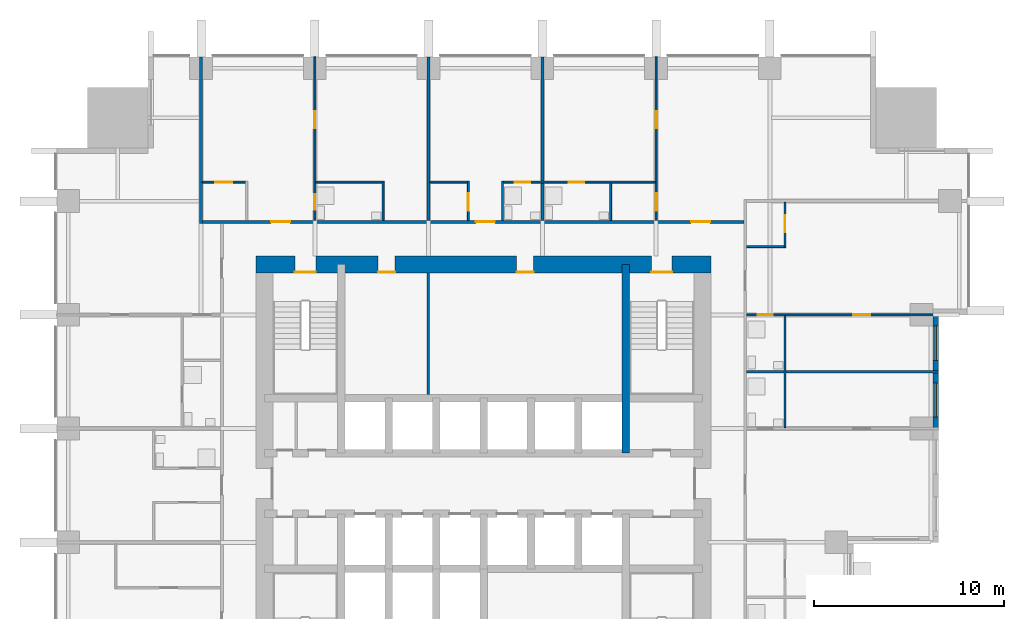
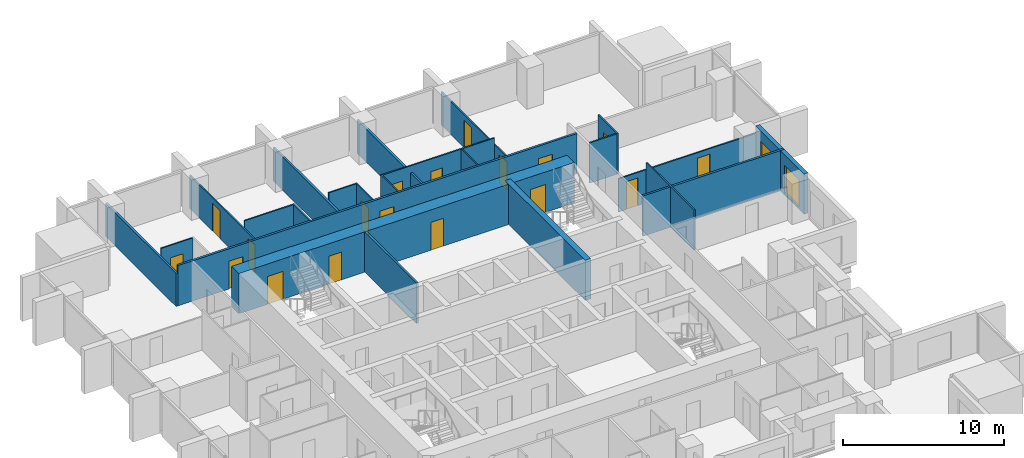
# One storey, part 7 of 10: 23 walls, 18 doors, 2 windows, 20 openings.
"""IFC4 building model written with IfcOpenShell, lengths in metres."""

from ifc_helpers import new_model, si_unit, direction, frame, frame_2d, origin, place, context, subcontext, project, spatial, rectangle, extrude, material, layer, layer_set, type_object, element, fill, save


model = new_model("IFC4")

# Units and contexts
model_context = context("Model", 3, precision=1e-05, world=origin(), true_north=direction((0.0, 1.0)))
body_context = subcontext(model_context, "Body", "Model", "MODEL_VIEW")
ifc_project = project(units=[si_unit("LENGTHUNIT", "METRE"), si_unit("AREAUNIT", "SQUARE_METRE"), si_unit("VOLUMEUNIT", "CUBIC_METRE"), si_unit("PLANEANGLEUNIT", "RADIAN"), si_unit("MASSUNIT", "GRAM", prefix="KILO")], contexts=[model_context])

# Site, building, storey
site_placement = place(None, origin())
site = spatial("IfcSite", under=ifc_project, at=site_placement, CompositionType="ELEMENT")
building_placement = place(site_placement, origin())
building = spatial("IfcBuilding", under=site, at=building_placement, Name="Amberfall Residences", CompositionType="ELEMENT")
storey_placement = place(building_placement, frame((0.0, 0.0, 63.10009765625)))
storey = spatial("IfcBuildingStorey", under=building, at=storey_placement, Name="L17", CompositionType="ELEMENT", Elevation=63.10009765625)

# Wall, openings, windows
ifc_material_1 = material(Name="Pale stone cladding on insulated backing", Category="masonry")
ifc_layer_1 = layer(ifc_material_1, 0.300048828125)
ifc_layer_set_1 = layer_set([ifc_layer_1], Name="Bronze clad wall 300")
wall_type_1 = type_object("IfcWallType", Name="Bronze clad wall 300", PredefinedType="SOLIDWALL", material=ifc_layer_set_1)
wall_1_placement = place(storey_placement, frame((98.35009765625, 48.39990234375, 0.0), z_axis=(0.0, 0.0, 1.0), x_axis=(0.0, 1.0, 0.0)))
wall_1 = element("IfcWall", 1, at=wall_1_placement, inside=storey, type_object=wall_type_1, Name="Stone wall L17 E", PredefinedType="SOLIDWALL", context=body_context, shape_type="SweptSolid", body=[
    extrude(rectangle(XDim=6.0, YDim=0.300048828125, at=frame_2d((3.0, 0.0))), origin(), (0.0, 0.0, 1.0), 3.0498046875),
])
opening_1_placement = place(wall_1_placement, frame((0.60009765625, 0.0, 0.14990234375)))
opening_1 = element("IfcOpeningElement", 2, at=opening_1_placement, cuts=wall_1, Name="Opening WN6", PredefinedType="OPENING", context=body_context, shape_type="SweptSolid", body=[
    extrude(rectangle(XDim=1.800048828125, YDim=2.10009765625, at=frame_2d((0.89990234375, 1.050048828125))), frame((0.0, 0.159912109375, 0.0), z_axis=(0.0, -1.0, 0.0), x_axis=(1.0, 0.0, 0.0)), (0.0, 0.0, 1.0), 0.320068359375),
])
opening_2_placement = place(wall_1_placement, frame((3.60009765625, 0.0, 0.14990234375)))
opening_2 = element("IfcOpeningElement", 3, at=opening_2_placement, cuts=wall_1, Name="Opening WN6", PredefinedType="OPENING", context=body_context, shape_type="SweptSolid", body=[
    extrude(rectangle(XDim=1.800048828125, YDim=2.10009765625, at=frame_2d((0.89990234375, 1.050048828125))), frame((0.0, 0.159912109375, 0.0), z_axis=(0.0, -1.0, 0.0), x_axis=(1.0, 0.0, 0.0)), (0.0, 0.0, 1.0), 0.320068359375),
])
ifc_material_2 = material(Name="Bronze aluminium framed glazing", Category="aluminium")
window_type = type_object("IfcWindowType", Name="Glazed opening 1800 x 2100 bronze", PartitioningType="DOUBLE_PANEL_VERTICAL", PredefinedType="WINDOW", material=ifc_material_2)
window_1_placement = place(opening_1_placement, origin())
window_1 = element("IfcWindow", 4, at=window_1_placement, inside=storey, type_object=window_type, Name="Window L17 E", OverallHeight=2.10009765625, OverallWidth=1.800048828125, PartitioningType="DOUBLE_PANEL_VERTICAL", PredefinedType="WINDOW", context=body_context, shape_type="SweptSolid", body=[
    extrude(rectangle(XDim=1.800048828125, YDim=2.10009765625, at=frame_2d((0.89990234375, 1.050048828125))), frame((0.0, 0.030029296875, 0.0), z_axis=(0.0, -1.0, 0.0), x_axis=(1.0, 0.0, 0.0)), (0.0, 0.0, 1.0), 0.06005859375),
])
fill(opening_1, window_1)
window_2_placement = place(opening_2_placement, origin())
window_2 = element("IfcWindow", 5, at=window_2_placement, inside=storey, type_object=window_type, Name="Window L17 E", OverallHeight=2.10009765625, OverallWidth=1.800048828125, PartitioningType="DOUBLE_PANEL_VERTICAL", PredefinedType="WINDOW", context=body_context, shape_type="SweptSolid", body=[
    extrude(rectangle(XDim=1.800048828125, YDim=2.10009765625, at=frame_2d((0.89990234375, 1.050048828125))), frame((0.0, 0.030029296875, 0.0), z_axis=(0.0, -1.0, 0.0), x_axis=(1.0, 0.0, 0.0)), (0.0, 0.0, 1.0), 0.06005859375),
])
fill(opening_2, window_2)

# Wall
ifc_material_3 = material(Name="Concrete C80", Category="concrete")
ifc_layer_2 = layer(ifc_material_3, 0.39990234375)
ifc_layer_set_2 = layer_set([ifc_layer_2], Name="Core wall 400 C80")
wall_type_2 = type_object("IfcWallType", Name="Core wall 400 C80", PredefinedType="SHEAR", material=ifc_layer_set_2)
wall_2_placement = place(storey_placement, frame((82.0, 47.10009765625, 0.0), z_axis=(0.0, 0.0, 1.0), x_axis=(0.0, 1.0, 0.0)))
element("IfcWall", 6, at=wall_2_placement, inside=storey, type_object=wall_type_2, Name="Core wall RW2 L17 V195N", PredefinedType="SHEAR", context=body_context, shape_type="SweptSolid", body=[
    extrude(rectangle(XDim=9.949951171875, YDim=0.39990234375, at=frame_2d((4.97509765625, 0.0))), origin(), (0.0, 0.0, 1.0), 3.0498046875),
])

# Wall, openings, doors
ifc_layer_3 = layer(ifc_material_3, 0.89990234375)
ifc_layer_set_3 = layer_set([ifc_layer_3], Name="Core wall 900 C80")
wall_type_3 = type_object("IfcWallType", Name="Core wall 900 C80", PredefinedType="SHEAR", material=ifc_layer_set_3)
wall_3_placement = place(storey_placement, frame((62.5, 57.050048828125, 0.0), z_axis=(0.0, 0.0, 1.0), x_axis=(1.0, 0.0, 0.0)))
wall_3 = element("IfcWall", 7, at=wall_3_placement, inside=storey, type_object=wall_type_3, Name="Core wall RW1 L17 ON", PredefinedType="SHEAR", context=body_context, shape_type="SweptSolid", body=[
    extrude(rectangle(XDim=24.0, YDim=0.89990234375, at=frame_2d((12.0, 0.0))), origin(), (0.0, 0.0, 1.0), 3.0498046875),
])
opening_3_placement = place(wall_3_placement, frame((20.85009765625, 0.0, 0.0)))
opening_3 = element("IfcOpeningElement", 8, at=opening_3_placement, cuts=wall_3, Name="Opening SD1", PredefinedType="OPENING", context=body_context, shape_type="SweptSolid", body=[
    extrude(rectangle(XDim=1.10009765625, YDim=2.10009765625, at=frame_2d((0.550048828125, 1.050048828125))), frame((0.0, 0.4599609375, 0.0), z_axis=(0.0, -1.0, 0.0), x_axis=(1.0, 0.0, 0.0)), (0.0, 0.0, 1.0), 0.919921875),
])
opening_4_placement = place(wall_3_placement, frame((2.050048828125, 0.0, 0.0)))
opening_4 = element("IfcOpeningElement", 9, at=opening_4_placement, cuts=wall_3, Name="Opening SD1", PredefinedType="OPENING", context=body_context, shape_type="SweptSolid", body=[
    extrude(rectangle(XDim=1.10009765625, YDim=2.10009765625, at=frame_2d((0.550048828125, 1.050048828125))), frame((0.0, 0.4599609375, 0.0), z_axis=(0.0, -1.0, 0.0), x_axis=(1.0, 0.0, 0.0)), (0.0, 0.0, 1.0), 0.919921875),
])
opening_5_placement = place(wall_3_placement, frame((6.43994140625, 0.0, 0.0)))
opening_5 = element("IfcOpeningElement", 10, at=opening_5_placement, cuts=wall_3, Name="Opening RD1", PredefinedType="OPENING", context=body_context, shape_type="SweptSolid", body=[
    extrude(rectangle(XDim=0.89990234375, YDim=2.10009765625, at=frame_2d((0.449951171875, 1.050048828125))), frame((0.0, 0.4599609375, 0.0), z_axis=(0.0, -1.0, 0.0), x_axis=(1.0, 0.0, 0.0)), (0.0, 0.0, 1.0), 0.919921875),
])
opening_6_placement = place(wall_3_placement, frame((13.739990234375, 0.0, 0.0)))
opening_6 = element("IfcOpeningElement", 11, at=opening_6_placement, cuts=wall_3, Name="Opening RD1", PredefinedType="OPENING", context=body_context, shape_type="SweptSolid", body=[
    extrude(rectangle(XDim=0.89990234375, YDim=2.10009765625, at=frame_2d((0.449951171875, 1.050048828125))), frame((0.0, 0.4599609375, 0.0), z_axis=(0.0, -1.0, 0.0), x_axis=(1.0, 0.0, 0.0)), (0.0, 0.0, 1.0), 0.919921875),
])
ifc_material_4 = material(Name="Steel fire door set", Category="steel")
door_type_1 = type_object("IfcDoorType", Name="Service room door 900 x 2100", OperationType="SINGLE_SWING_LEFT", PredefinedType="DOOR", material=ifc_material_4)
door_1_placement = place(opening_5_placement, origin())
door_1 = element("IfcDoor", 12, at=door_1_placement, inside=storey, type_object=door_type_1, Name="RD1 L17", OperationType="SINGLE_SWING_RIGHT", OverallHeight=2.10009765625, OverallWidth=0.89990234375, PredefinedType="DOOR", context=body_context, shape_type="SweptSolid", body=[
    extrude(rectangle(XDim=0.89990234375, YDim=2.10009765625, at=frame_2d((0.449951171875, 1.050048828125))), frame((0.0, -0.3876953125, 0.0), z_axis=(0.0, -1.0, 0.0), x_axis=(1.0, 0.0, 0.0)), (0.0, 0.0, 1.0), 0.050048828125),
])
fill(opening_5, door_1)
door_2_placement = place(opening_6_placement, origin())
door_2 = element("IfcDoor", 13, at=door_2_placement, inside=storey, type_object=door_type_1, Name="RD1 L17", OperationType="SINGLE_SWING_RIGHT", OverallHeight=2.10009765625, OverallWidth=0.89990234375, PredefinedType="DOOR", context=body_context, shape_type="SweptSolid", body=[
    extrude(rectangle(XDim=0.89990234375, YDim=2.10009765625, at=frame_2d((0.449951171875, 1.050048828125))), frame((0.0, -0.3876953125, 0.0), z_axis=(0.0, -1.0, 0.0), x_axis=(1.0, 0.0, 0.0)), (0.0, 0.0, 1.0), 0.050048828125),
])
fill(opening_6, door_2)
door_type_2 = type_object("IfcDoorType", Name="Stair door 1100 x 2100", OperationType="SINGLE_SWING_LEFT", PredefinedType="DOOR", material=ifc_material_4)
door_3_placement = place(opening_3_placement, origin())
door_3 = element("IfcDoor", 14, at=door_3_placement, inside=storey, type_object=door_type_2, Name="SD1 L17", OperationType="SINGLE_SWING_RIGHT", OverallHeight=2.10009765625, OverallWidth=1.10009765625, PredefinedType="DOOR", context=body_context, shape_type="SweptSolid", body=[
    extrude(rectangle(XDim=1.10009765625, YDim=2.10009765625, at=frame_2d((0.550048828125, 1.050048828125))), frame((0.0, -0.3876953125, 0.0), z_axis=(0.0, -1.0, 0.0), x_axis=(1.0, 0.0, 0.0)), (0.0, 0.0, 1.0), 0.050048828125),
])
fill(opening_3, door_3)
door_4_placement = place(opening_4_placement, origin())
door_4 = element("IfcDoor", 15, at=door_4_placement, inside=storey, type_object=door_type_2, Name="SD1 L17", OperationType="SINGLE_SWING_LEFT", OverallHeight=2.10009765625, OverallWidth=1.10009765625, PredefinedType="DOOR", context=body_context, shape_type="SweptSolid", body=[
    extrude(rectangle(XDim=1.10009765625, YDim=2.10009765625, at=frame_2d((0.550048828125, 1.050048828125))), frame((0.0, -0.3876953125, 0.0), z_axis=(0.0, -1.0, 0.0), x_axis=(1.0, 0.0, 0.0)), (0.0, 0.0, 1.0), 0.050048828125),
])
fill(opening_4, door_4)

ifc_material_5 = material(Name="Gypsum board on metal stud")
ifc_layer_4 = layer(ifc_material_5, 0.10009765625)
ifc_layer_set_4 = layer_set([ifc_layer_4], Name="Flat partition 100")
wall_type_4 = type_object("IfcWallType", Name="Flat partition 100", PredefinedType="PARTITIONING", material=ifc_layer_set_4)
wall_4_placement = place(storey_placement, frame((65.60009765625, 68.0, 0.0), z_axis=(0.0, 0.0, 1.0), x_axis=(0.0, -1.0, 0.0)))
wall_4 = element("IfcWall", 16, at=wall_4_placement, inside=storey, type_object=wall_type_4, Name="Partition 007", PredefinedType="PARTITIONING", context=body_context, shape_type="SweptSolid", body=[
    extrude(rectangle(XDim=8.625, YDim=0.10009765625, at=frame_2d((4.3125, 0.0))), origin(), (0.0, 0.0, 1.0), 2.515869140625),
])
opening_7_placement = place(wall_4_placement, frame((2.85009765625, 0.0, 0.0)))
opening_7 = element("IfcOpeningElement", 17, at=opening_7_placement, cuts=wall_4, Name="Opening D41", PredefinedType="OPENING", context=body_context, shape_type="SweptSolid", body=[
    extrude(rectangle(XDim=0.89990234375, YDim=2.10009765625, at=frame_2d((0.449951171875, 1.050048828125))), frame((0.0, 0.06005859375, 0.0), z_axis=(0.0, -1.0, 0.0), x_axis=(1.0, 0.0, 0.0)), (0.0, 0.0, 1.0), 0.1201171875),
])
opening_8_placement = place(wall_4_placement, frame((7.25, 0.0, 0.0)))
opening_8 = element("IfcOpeningElement", 18, at=opening_8_placement, cuts=wall_4, Name="Opening D42", PredefinedType="OPENING", context=body_context, shape_type="SweptSolid", body=[
    extrude(rectangle(XDim=0.800048828125, YDim=2.10009765625, at=frame_2d((0.39990234375, 1.050048828125))), frame((0.0, 0.06005859375, 0.0), z_axis=(0.0, -1.0, 0.0), x_axis=(1.0, 0.0, 0.0)), (0.0, 0.0, 1.0), 0.1201171875),
])
ifc_material_6 = material(Name="Timber", Category="wood")
door_type_3 = type_object("IfcDoorType", Name="Bathroom door 800 x 2100", OperationType="SINGLE_SWING_LEFT", PredefinedType="DOOR", material=ifc_material_6)
door_5_placement = place(opening_8_placement, origin())
door_5 = element("IfcDoor", 19, at=door_5_placement, inside=storey, type_object=door_type_3, Name="Door 1706 bath1", OperationType="SINGLE_SWING_LEFT", OverallHeight=2.10009765625, OverallWidth=0.800048828125, PredefinedType="DOOR", context=body_context, shape_type="SweptSolid", body=[
    extrude(rectangle(XDim=0.800048828125, YDim=2.10009765625, at=frame_2d((0.39990234375, 1.050048828125))), frame((0.0, 0.02490234375, 0.0), z_axis=(0.0, -1.0, 0.0), x_axis=(1.0, 0.0, 0.0)), (0.0, 0.0, 1.0), 0.050048828125),
])
fill(opening_8, door_5)
door_type_4 = type_object("IfcDoorType", Name="Internal door 900 x 2100", OperationType="SINGLE_SWING_LEFT", PredefinedType="DOOR", material=ifc_material_6)
door_6_placement = place(opening_7_placement, origin())
door_6 = element("IfcDoor", 20, at=door_6_placement, inside=storey, type_object=door_type_4, Name="Door 1706 bedroom1", OperationType="SINGLE_SWING_LEFT", OverallHeight=2.10009765625, OverallWidth=0.89990234375, PredefinedType="DOOR", context=body_context, shape_type="SweptSolid", body=[
    extrude(rectangle(XDim=0.89990234375, YDim=2.10009765625, at=frame_2d((0.449951171875, 1.050048828125))), frame((0.0, 0.02490234375, 0.0), z_axis=(0.0, -1.0, 0.0), x_axis=(1.0, 0.0, 0.0)), (0.0, 0.0, 1.0), 0.050048828125),
])
fill(opening_7, door_6)

# Wall
wall_5_placement = place(storey_placement, frame((69.199951171875, 59.375, 0.0), z_axis=(0.0, 0.0, 1.0), x_axis=(0.0, 1.0, 0.0)))
element("IfcWall", 21, at=wall_5_placement, inside=storey, type_object=wall_type_4, Name="Partition 009", PredefinedType="PARTITIONING", context=body_context, shape_type="SweptSolid", body=[
    extrude(rectangle(XDim=2.074951171875, YDim=0.10009765625, at=frame_2d((1.03759765625, 0.0))), origin(), (0.0, 0.0, 1.0), 3.0498046875),
])

# Wall, opening, door
wall_6_placement = place(storey_placement, frame((73.699951171875, 59.375, 0.0), z_axis=(0.0, 0.0, 1.0), x_axis=(0.0, 1.0, 0.0)))
wall_6 = element("IfcWall", 22, at=wall_6_placement, inside=storey, type_object=wall_type_4, Name="Partition 011", PredefinedType="PARTITIONING", context=body_context, shape_type="SweptSolid", body=[
    extrude(rectangle(XDim=2.074951171875, YDim=0.10009765625, at=frame_2d((1.03759765625, 0.0))), origin(), (0.0, 0.0, 1.0), 3.0498046875),
])
opening_9_placement = place(wall_6_placement, frame((0.52490234375, 0.0, 0.0)))
opening_9 = element("IfcOpeningElement", 23, at=opening_9_placement, cuts=wall_6, Name="Opening D41", PredefinedType="OPENING", context=body_context, shape_type="SweptSolid", body=[
    extrude(rectangle(XDim=0.89990234375, YDim=2.10009765625, at=frame_2d((0.449951171875, 1.050048828125))), frame((0.0, 0.06005859375, 0.0), z_axis=(0.0, -1.0, 0.0), x_axis=(1.0, 0.0, 0.0)), (0.0, 0.0, 1.0), 0.1201171875),
])
door_7_placement = place(opening_9_placement, origin())
door_7 = element("IfcDoor", 24, at=door_7_placement, inside=storey, type_object=door_type_4, Name="Door 1707 kitchen", OperationType="SINGLE_SWING_LEFT", OverallHeight=2.10009765625, OverallWidth=0.89990234375, PredefinedType="DOOR", context=body_context, shape_type="SweptSolid", body=[
    extrude(rectangle(XDim=0.89990234375, YDim=2.10009765625, at=frame_2d((0.449951171875, 1.050048828125))), frame((0.0, 0.02490234375, 0.0), z_axis=(0.0, -1.0, 0.0), x_axis=(1.0, 0.0, 0.0)), (0.0, 0.0, 1.0), 0.050048828125),
])
fill(opening_9, door_7)

# Walls
wall_7_placement = place(storey_placement, frame((75.5, 59.375, 0.0), z_axis=(0.0, 0.0, 1.0), x_axis=(0.0, 1.0, 0.0)))
element("IfcWall", 25, at=wall_7_placement, inside=storey, type_object=wall_type_4, Name="Partition 012", PredefinedType="PARTITIONING", context=body_context, shape_type="SweptSolid", body=[
    extrude(rectangle(XDim=2.074951171875, YDim=0.10009765625, at=frame_2d((1.03759765625, 0.0))), origin(), (0.0, 0.0, 1.0), 3.0498046875),
])
wall_8_placement = place(storey_placement, frame((81.199951171875, 59.375, 0.0), z_axis=(0.0, 0.0, 1.0), x_axis=(0.0, 1.0, 0.0)))
element("IfcWall", 26, at=wall_8_placement, inside=storey, type_object=wall_type_4, Name="Partition 014", PredefinedType="PARTITIONING", context=body_context, shape_type="SweptSolid", body=[
    extrude(rectangle(XDim=1.97509765625, YDim=0.10009765625, at=frame_2d((0.987548828125, 0.0))), origin(), (0.0, 0.0, 1.0), 3.0498046875),
])

# Wall, openings, doors
wall_9_placement = place(storey_placement, frame((83.60009765625, 59.375, 0.0), z_axis=(0.0, 0.0, 1.0), x_axis=(0.0, 1.0, 0.0)))
wall_9 = element("IfcWall", 27, at=wall_9_placement, inside=storey, type_object=wall_type_4, Name="Partition 016", PredefinedType="PARTITIONING", context=body_context, shape_type="SweptSolid", body=[
    extrude(rectangle(XDim=8.625, YDim=0.10009765625, at=frame_2d((4.3125, 0.0))), origin(), (0.0, 0.0, 1.0), 2.515869140625),
])
opening_10_placement = place(wall_9_placement, frame((0.52490234375, 0.0, 0.0)))
opening_10 = element("IfcOpeningElement", 28, at=opening_10_placement, cuts=wall_9, Name="Opening D41", PredefinedType="OPENING", context=body_context, shape_type="SweptSolid", body=[
    extrude(rectangle(XDim=0.89990234375, YDim=2.10009765625, at=frame_2d((0.449951171875, 1.050048828125))), frame((0.0, 0.06005859375, 0.0), z_axis=(0.0, -1.0, 0.0), x_axis=(1.0, 0.0, 0.0)), (0.0, 0.0, 1.0), 0.1201171875),
])
opening_11_placement = place(wall_9_placement, frame((4.875, 0.0, 0.0)))
opening_11 = element("IfcOpeningElement", 29, at=opening_11_placement, cuts=wall_9, Name="Opening D41", PredefinedType="OPENING", context=body_context, shape_type="SweptSolid", body=[
    extrude(rectangle(XDim=0.89990234375, YDim=2.10009765625, at=frame_2d((0.449951171875, 1.050048828125))), frame((0.0, 0.06005859375, 0.0), z_axis=(0.0, -1.0, 0.0), x_axis=(1.0, 0.0, 0.0)), (0.0, 0.0, 1.0), 0.1201171875),
])
door_8_placement = place(opening_10_placement, origin())
door_8 = element("IfcDoor", 30, at=door_8_placement, inside=storey, type_object=door_type_4, Name="Door 1708 kitchen", OperationType="SINGLE_SWING_LEFT", OverallHeight=2.10009765625, OverallWidth=0.89990234375, PredefinedType="DOOR", context=body_context, shape_type="SweptSolid", body=[
    extrude(rectangle(XDim=0.89990234375, YDim=2.10009765625, at=frame_2d((0.449951171875, 1.050048828125))), frame((0.0, 0.02490234375, 0.0), z_axis=(0.0, -1.0, 0.0), x_axis=(1.0, 0.0, 0.0)), (0.0, 0.0, 1.0), 0.050048828125),
])
fill(opening_10, door_8)
door_9_placement = place(opening_11_placement, origin())
door_9 = element("IfcDoor", 31, at=door_9_placement, inside=storey, type_object=door_type_4, Name="Door 1708 bedroom1", OperationType="SINGLE_SWING_LEFT", OverallHeight=2.10009765625, OverallWidth=0.89990234375, PredefinedType="DOOR", context=body_context, shape_type="SweptSolid", body=[
    extrude(rectangle(XDim=0.89990234375, YDim=2.10009765625, at=frame_2d((0.449951171875, 1.050048828125))), frame((0.0, 0.02490234375, 0.0), z_axis=(0.0, -1.0, 0.0), x_axis=(1.0, 0.0, 0.0)), (0.0, 0.0, 1.0), 0.050048828125),
])
fill(opening_11, door_9)

# Wall
wall_10_placement = place(storey_placement, frame((90.39990234375, 48.449951171875, 0.0), z_axis=(0.0, 0.0, 1.0), x_axis=(0.0, 1.0, 0.0)))
element("IfcWall", 32, at=wall_10_placement, inside=storey, type_object=wall_type_4, Name="Partition 019", PredefinedType="PARTITIONING", context=body_context, shape_type="SweptSolid", body=[
    extrude(rectangle(XDim=5.900146484375, YDim=0.10009765625, at=frame_2d((2.9501953125, 0.0))), origin(), (0.0, 0.0, 1.0), 3.0498046875),
])

# Wall, opening, door
wall_11_placement = place(storey_placement, frame((90.39990234375, 57.949951171875, 0.0), z_axis=(0.0, 0.0, 1.0), x_axis=(0.0, 1.0, 0.0)))
wall_11 = element("IfcWall", 33, at=wall_11_placement, inside=storey, type_object=wall_type_4, Name="Partition 020", PredefinedType="PARTITIONING", context=body_context, shape_type="SweptSolid", body=[
    extrude(rectangle(XDim=2.375, YDim=0.10009765625, at=frame_2d((1.1875, 0.0))), origin(), (0.0, 0.0, 1.0), 3.0498046875),
])
opening_12_placement = place(wall_11_placement, frame((0.800048828125, 0.0, 0.0)))
opening_12 = element("IfcOpeningElement", 34, at=opening_12_placement, cuts=wall_11, Name="Opening D41", PredefinedType="OPENING", context=body_context, shape_type="SweptSolid", body=[
    extrude(rectangle(XDim=0.89990234375, YDim=2.10009765625, at=frame_2d((0.449951171875, 1.050048828125))), frame((0.0, 0.06005859375, 0.0), z_axis=(0.0, -1.0, 0.0), x_axis=(1.0, 0.0, 0.0)), (0.0, 0.0, 1.0), 0.1201171875),
])
door_10_placement = place(opening_12_placement, origin())
door_10 = element("IfcDoor", 35, at=door_10_placement, inside=storey, type_object=door_type_4, Name="Door 1705 kitchen", OperationType="SINGLE_SWING_LEFT", OverallHeight=2.10009765625, OverallWidth=0.89990234375, PredefinedType="DOOR", context=body_context, shape_type="SweptSolid", body=[
    extrude(rectangle(XDim=0.89990234375, YDim=2.10009765625, at=frame_2d((0.449951171875, 1.050048828125))), frame((0.0, 0.02490234375, 0.0), z_axis=(0.0, -1.0, 0.0), x_axis=(1.0, 0.0, 0.0)), (0.0, 0.0, 1.0), 0.050048828125),
])
fill(opening_12, door_10)

wall_12_placement = place(storey_placement, frame((61.949951171875, 61.39990234375, 0.0), z_axis=(0.0, 0.0, 1.0), x_axis=(-1.0, 0.0, 0.0)))
wall_12 = element("IfcWall", 36, at=wall_12_placement, inside=storey, type_object=wall_type_4, Name="Partition 021", PredefinedType="PARTITIONING", context=body_context, shape_type="SweptSolid", body=[
    extrude(rectangle(XDim=2.27490234375, YDim=0.10009765625, at=frame_2d((1.137451171875, 0.0))), origin(), (0.0, 0.0, 1.0), 3.0498046875),
])
opening_13_placement = place(wall_12_placement, frame((0.699951171875, 0.0, 0.0)))
opening_13 = element("IfcOpeningElement", 37, at=opening_13_placement, cuts=wall_12, Name="Opening D41", PredefinedType="OPENING", context=body_context, shape_type="SweptSolid", body=[
    extrude(rectangle(XDim=0.89990234375, YDim=2.10009765625, at=frame_2d((0.449951171875, 1.050048828125))), frame((0.0, 0.06005859375, 0.0), z_axis=(0.0, -1.0, 0.0), x_axis=(1.0, 0.0, 0.0)), (0.0, 0.0, 1.0), 0.1201171875),
])
door_11_placement = place(opening_13_placement, origin())
door_11 = element("IfcDoor", 38, at=door_11_placement, inside=storey, type_object=door_type_4, Name="Door 1706 kitchen", OperationType="SINGLE_SWING_LEFT", OverallHeight=2.10009765625, OverallWidth=0.89990234375, PredefinedType="DOOR", context=body_context, shape_type="SweptSolid", body=[
    extrude(rectangle(XDim=0.89990234375, YDim=2.10009765625, at=frame_2d((0.449951171875, 1.050048828125))), frame((0.0, 0.02490234375, 0.0), z_axis=(0.0, -1.0, 0.0), x_axis=(1.0, 0.0, 0.0)), (0.0, 0.0, 1.0), 0.050048828125),
])
fill(opening_13, door_11)

# Walls
wall_13_placement = place(storey_placement, frame((65.64990234375, 61.39990234375, 0.0), z_axis=(0.0, 0.0, 1.0), x_axis=(1.0, 0.0, 0.0)))
element("IfcWall", 39, at=wall_13_placement, inside=storey, type_object=wall_type_4, Name="Partition 022", PredefinedType="PARTITIONING", context=body_context, shape_type="SweptSolid", body=[
    extrude(rectangle(XDim=3.5, YDim=0.10009765625, at=frame_2d((1.75, 0.0))), origin(), (0.0, 0.0, 1.0), 3.0498046875),
])
wall_14_placement = place(storey_placement, frame((71.675048828125, 61.39990234375, 0.0), z_axis=(0.0, 0.0, 1.0), x_axis=(1.0, 0.0, 0.0)))
element("IfcWall", 40, at=wall_14_placement, inside=storey, type_object=wall_type_4, Name="Partition 023", PredefinedType="PARTITIONING", context=body_context, shape_type="SweptSolid", body=[
    extrude(rectangle(XDim=1.974853515625, YDim=0.10009765625, at=frame_2d((0.9873046875, 0.0))), origin(), (0.0, 0.0, 1.0), 3.0498046875),
])

# Wall, openings, doors
wall_15_placement = place(storey_placement, frame((83.550048828125, 61.39990234375, 0.0), z_axis=(0.0, 0.0, 1.0), x_axis=(-1.0, 0.0, 0.0)))
wall_15 = element("IfcWall", 41, at=wall_15_placement, inside=storey, type_object=wall_type_4, Name="Partition 024", PredefinedType="PARTITIONING", context=body_context, shape_type="SweptSolid", body=[
    extrude(rectangle(XDim=8.0, YDim=0.10009765625, at=frame_2d((4.0, 0.0))), origin(), (0.0, 0.0, 1.0), 3.0498046875),
])
opening_14_placement = place(wall_15_placement, frame((6.60009765625, 0.0, 0.0)))
opening_14 = element("IfcOpeningElement", 42, at=opening_14_placement, cuts=wall_15, Name="Opening D42", PredefinedType="OPENING", context=body_context, shape_type="SweptSolid", body=[
    extrude(rectangle(XDim=0.800048828125, YDim=2.10009765625, at=frame_2d((0.39990234375, 1.050048828125))), frame((0.0, 0.06005859375, 0.0), z_axis=(0.0, -1.0, 0.0), x_axis=(1.0, 0.0, 0.0)), (0.0, 0.0, 1.0), 0.1201171875),
])
opening_15_placement = place(wall_15_placement, frame((3.75, 0.0, 0.0)))
opening_15 = element("IfcOpeningElement", 43, at=opening_15_placement, cuts=wall_15, Name="Opening D42", PredefinedType="OPENING", context=body_context, shape_type="SweptSolid", body=[
    extrude(rectangle(XDim=0.800048828125, YDim=2.10009765625, at=frame_2d((0.39990234375, 1.050048828125))), frame((0.0, 0.06005859375, 0.0), z_axis=(0.0, -1.0, 0.0), x_axis=(1.0, 0.0, 0.0)), (0.0, 0.0, 1.0), 0.1201171875),
])
door_12_placement = place(opening_14_placement, origin())
door_12 = element("IfcDoor", 44, at=door_12_placement, inside=storey, type_object=door_type_3, Name="Door 1707 bath1", OperationType="SINGLE_SWING_LEFT", OverallHeight=2.10009765625, OverallWidth=0.800048828125, PredefinedType="DOOR", context=body_context, shape_type="SweptSolid", body=[
    extrude(rectangle(XDim=0.800048828125, YDim=2.10009765625, at=frame_2d((0.39990234375, 1.050048828125))), frame((0.0, 0.02490234375, 0.0), z_axis=(0.0, -1.0, 0.0), x_axis=(1.0, 0.0, 0.0)), (0.0, 0.0, 1.0), 0.050048828125),
])
fill(opening_14, door_12)
door_13_placement = place(opening_15_placement, origin())
door_13 = element("IfcDoor", 45, at=door_13_placement, inside=storey, type_object=door_type_3, Name="Door 1708 bath1", OperationType="SINGLE_SWING_LEFT", OverallHeight=2.10009765625, OverallWidth=0.800048828125, PredefinedType="DOOR", context=body_context, shape_type="SweptSolid", body=[
    extrude(rectangle(XDim=0.800048828125, YDim=2.10009765625, at=frame_2d((0.39990234375, 1.050048828125))), frame((0.0, 0.02490234375, 0.0), z_axis=(0.0, -1.0, 0.0), x_axis=(1.0, 0.0, 0.0)), (0.0, 0.0, 1.0), 0.050048828125),
])
fill(opening_15, door_13)

# Wall
wall_16_placement = place(storey_placement, frame((88.375, 58.0, 0.0), z_axis=(0.0, 0.0, 1.0), x_axis=(1.0, 0.0, 0.0)))
element("IfcWall", 46, at=wall_16_placement, inside=storey, type_object=wall_type_4, Name="Partition 025", PredefinedType="PARTITIONING", context=body_context, shape_type="SweptSolid", body=[
    extrude(rectangle(XDim=1.97509765625, YDim=0.10009765625, at=frame_2d((0.987548828125, 0.0))), origin(), (0.0, 0.0, 1.0), 3.0498046875),
])

# Wall, openings, doors
wall_17_placement = place(storey_placement, frame((98.5, 54.39990234375, 0.0), z_axis=(0.0, 0.0, 1.0), x_axis=(-1.0, 0.0, 0.0)))
wall_17 = element("IfcWall", 47, at=wall_17_placement, inside=storey, type_object=wall_type_4, Name="Partition 027", PredefinedType="PARTITIONING", context=body_context, shape_type="SweptSolid", body=[
    extrude(rectangle(XDim=10.125, YDim=0.10009765625, at=frame_2d((5.0625, 0.0))), origin(), (0.0, 0.0, 1.0), 2.515869140625),
])
opening_16_placement = place(wall_17_placement, frame((3.60009765625, 0.0, 0.0)))
opening_16 = element("IfcOpeningElement", 48, at=opening_16_placement, cuts=wall_17, Name="Opening D41", PredefinedType="OPENING", context=body_context, shape_type="SweptSolid", body=[
    extrude(rectangle(XDim=0.89990234375, YDim=2.10009765625, at=frame_2d((0.449951171875, 1.050048828125))), frame((0.0, 0.06005859375, 0.0), z_axis=(0.0, -1.0, 0.0), x_axis=(1.0, 0.0, 0.0)), (0.0, 0.0, 1.0), 0.1201171875),
])
opening_17_placement = place(wall_17_placement, frame((8.75, 0.0, 0.0)))
opening_17 = element("IfcOpeningElement", 49, at=opening_17_placement, cuts=wall_17, Name="Opening D42", PredefinedType="OPENING", context=body_context, shape_type="SweptSolid", body=[
    extrude(rectangle(XDim=0.800048828125, YDim=2.10009765625, at=frame_2d((0.39990234375, 1.050048828125))), frame((0.0, 0.06005859375, 0.0), z_axis=(0.0, -1.0, 0.0), x_axis=(1.0, 0.0, 0.0)), (0.0, 0.0, 1.0), 0.1201171875),
])
door_14_placement = place(opening_17_placement, origin())
door_14 = element("IfcDoor", 50, at=door_14_placement, inside=storey, type_object=door_type_3, Name="Door 1705 bath1", OperationType="SINGLE_SWING_LEFT", OverallHeight=2.10009765625, OverallWidth=0.800048828125, PredefinedType="DOOR", context=body_context, shape_type="SweptSolid", body=[
    extrude(rectangle(XDim=0.800048828125, YDim=2.10009765625, at=frame_2d((0.39990234375, 1.050048828125))), frame((0.0, 0.02490234375, 0.0), z_axis=(0.0, -1.0, 0.0), x_axis=(1.0, 0.0, 0.0)), (0.0, 0.0, 1.0), 0.050048828125),
])
fill(opening_17, door_14)
door_15_placement = place(opening_16_placement, origin())
door_15 = element("IfcDoor", 51, at=door_15_placement, inside=storey, type_object=door_type_4, Name="Door 1705 bedroom1", OperationType="SINGLE_SWING_LEFT", OverallHeight=2.10009765625, OverallWidth=0.89990234375, PredefinedType="DOOR", context=body_context, shape_type="SweptSolid", body=[
    extrude(rectangle(XDim=0.89990234375, YDim=2.10009765625, at=frame_2d((0.449951171875, 1.050048828125))), frame((0.0, 0.02490234375, 0.0), z_axis=(0.0, -1.0, 0.0), x_axis=(1.0, 0.0, 0.0)), (0.0, 0.0, 1.0), 0.050048828125),
])
fill(opening_16, door_15)

# Walls
ifc_material_7 = material(Name="Blockwork, plastered", Category="masonry")
ifc_layer_5 = layer(ifc_material_7, 0.14990234375)
ifc_layer_set_5 = layer_set([ifc_layer_5], Name="Flat separating wall 150")
wall_type_5 = type_object("IfcWallType", Name="Flat separating wall 150", PredefinedType="PARTITIONING", material=ifc_layer_set_5)
wall_18_placement = place(storey_placement, frame((59.60009765625, 59.22509765625, 0.0), z_axis=(0.0, 0.0, 1.0), x_axis=(0.0, 1.0, 0.0)))
element("IfcWall", 52, at=wall_18_placement, inside=storey, type_object=wall_type_5, Name="Separating wall 041", PredefinedType="PARTITIONING", context=body_context, shape_type="SweptSolid", body=[
    extrude(rectangle(XDim=8.77490234375, YDim=0.14990234375, at=frame_2d((4.387451171875, 0.0))), origin(), (0.0, 0.0, 1.0), 2.510009765625),
])
for number, where, z_axis, x_axis, name in (
    (53, (71.60009765625, 59.375, 0.0), (0.0, 0.0, 1.0), (0.0, 1.0, 0.0), "Separating wall 043"),
    (54, (77.60009765625, 59.375, 0.0), (0.0, 0.0, 1.0), (0.0, 1.0, 0.0), "Separating wall 045"),
):
    element("IfcWall", number, at=place(storey_placement, frame(where, z_axis=z_axis, x_axis=x_axis)), inside=storey, type_object=wall_type_5, Name=name, PredefinedType="PARTITIONING", context=body_context, shape_type="SweptSolid", body=[
        extrude(rectangle(XDim=8.625, YDim=0.14990234375, at=frame_2d((4.3125, 0.0))), origin(), (0.0, 0.0, 1.0), 2.515869140625),
    ])

# Wall, openings, doors
wall_19_placement = place(storey_placement, frame((59.675048828125, 59.300048828125, 0.0), z_axis=(0.0, 0.0, 1.0), x_axis=(1.0, 0.0, 0.0)))
wall_19 = element("IfcWall", 55, at=wall_19_placement, inside=storey, type_object=wall_type_5, Name="Separating wall 049", PredefinedType="PARTITIONING", context=body_context, shape_type="SweptSolid", body=[
    extrude(rectangle(XDim=28.550048828125, YDim=0.14990234375, at=frame_2d((14.27490234375, 0.0))), origin(), (0.0, 0.0, 1.0), 3.0498046875),
])
opening_18_placement = place(wall_19_placement, frame((3.625, 0.0, 0.0)))
opening_18 = element("IfcOpeningElement", 56, at=opening_18_placement, cuts=wall_19, Name="Opening D40", PredefinedType="OPENING", context=body_context, shape_type="SweptSolid", body=[
    extrude(rectangle(XDim=1.0, YDim=2.10009765625, at=frame_2d((0.5, 1.050048828125))), frame((0.0, 0.0849609375, 0.0), z_axis=(0.0, -1.0, 0.0), x_axis=(1.0, 0.0, 0.0)), (0.0, 0.0, 1.0), 0.169921875),
])
opening_19_placement = place(wall_19_placement, frame((14.425048828125, 0.0, 0.0)))
opening_19 = element("IfcOpeningElement", 57, at=opening_19_placement, cuts=wall_19, Name="Opening D40", PredefinedType="OPENING", context=body_context, shape_type="SweptSolid", body=[
    extrude(rectangle(XDim=1.0, YDim=2.10009765625, at=frame_2d((0.5, 1.050048828125))), frame((0.0, 0.0849609375, 0.0), z_axis=(0.0, -1.0, 0.0), x_axis=(1.0, 0.0, 0.0)), (0.0, 0.0, 1.0), 0.169921875),
])
opening_20_placement = place(wall_19_placement, frame((25.77490234375, 0.0, 0.0)))
opening_20 = element("IfcOpeningElement", 58, at=opening_20_placement, cuts=wall_19, Name="Opening D40", PredefinedType="OPENING", context=body_context, shape_type="SweptSolid", body=[
    extrude(rectangle(XDim=1.0, YDim=2.10009765625, at=frame_2d((0.5, 1.050048828125))), frame((0.0, 0.0849609375, 0.0), z_axis=(0.0, -1.0, 0.0), x_axis=(1.0, 0.0, 0.0)), (0.0, 0.0, 1.0), 0.169921875),
])
ifc_material_8 = material(Name="Timber, fire-rated", Category="wood")
door_type_5 = type_object("IfcDoorType", Name="Flat entrance door FD60 1000 x 2100", OperationType="SINGLE_SWING_LEFT", PredefinedType="DOOR", material=ifc_material_8)
door_16_placement = place(opening_18_placement, origin())
door_16 = element("IfcDoor", 59, at=door_16_placement, inside=storey, type_object=door_type_5, Name="Door 1706 entrance", OperationType="SINGLE_SWING_LEFT", OverallHeight=2.10009765625, OverallWidth=1.0, PredefinedType="DOOR", context=body_context, shape_type="SweptSolid", body=[
    extrude(rectangle(XDim=1.0, YDim=2.10009765625, at=frame_2d((0.5, 1.050048828125))), frame((0.0, 0.02490234375, 0.0), z_axis=(0.0, -1.0, 0.0), x_axis=(1.0, 0.0, 0.0)), (0.0, 0.0, 1.0), 0.050048828125),
])
fill(opening_18, door_16)
door_17_placement = place(opening_19_placement, origin())
door_17 = element("IfcDoor", 60, at=door_17_placement, inside=storey, type_object=door_type_5, Name="Door 1707 entrance", OperationType="SINGLE_SWING_LEFT", OverallHeight=2.10009765625, OverallWidth=1.0, PredefinedType="DOOR", context=body_context, shape_type="SweptSolid", body=[
    extrude(rectangle(XDim=1.0, YDim=2.10009765625, at=frame_2d((0.5, 1.050048828125))), frame((0.0, 0.02490234375, 0.0), z_axis=(0.0, -1.0, 0.0), x_axis=(1.0, 0.0, 0.0)), (0.0, 0.0, 1.0), 0.050048828125),
])
fill(opening_19, door_17)
door_18_placement = place(opening_20_placement, origin())
door_18 = element("IfcDoor", 61, at=door_18_placement, inside=storey, type_object=door_type_5, Name="Door 1708 entrance", OperationType="SINGLE_SWING_LEFT", OverallHeight=2.10009765625, OverallWidth=1.0, PredefinedType="DOOR", context=body_context, shape_type="SweptSolid", body=[
    extrude(rectangle(XDim=1.0, YDim=2.10009765625, at=frame_2d((0.5, 1.050048828125))), frame((0.0, 0.02490234375, 0.0), z_axis=(0.0, -1.0, 0.0), x_axis=(1.0, 0.0, 0.0)), (0.0, 0.0, 1.0), 0.050048828125),
])
fill(opening_20, door_18)

# Walls
wall_20_placement = place(storey_placement, frame((88.375, 51.39990234375, 0.0), z_axis=(0.0, 0.0, 1.0), x_axis=(1.0, 0.0, 0.0)))
element("IfcWall", 62, at=wall_20_placement, inside=storey, type_object=wall_type_5, Name="Separating wall 050", PredefinedType="PARTITIONING", context=body_context, shape_type="SweptSolid", body=[
    extrude(rectangle(XDim=10.125, YDim=0.14990234375, at=frame_2d((5.0625, 0.0))), origin(), (0.0, 0.0, 1.0), 3.0498046875),
])
ifc_material_9 = material(Name="Concrete blockwork", Category="masonry")
ifc_layer_6 = layer(ifc_material_9, 0.14990234375)
ifc_layer_set_6 = layer_set([ifc_layer_6], Name="Riser wall 150")
wall_type_6 = type_object("IfcWallType", Name="Riser wall 150", PredefinedType="PLUMBINGWALL", material=ifc_layer_set_6)
wall_21_placement = place(storey_placement, frame((71.580078125, 50.199951171875, 0.0), z_axis=(0.0, 0.0, 1.0), x_axis=(0.0, 1.0, 0.0)))
element("IfcWall", 63, at=wall_21_placement, inside=storey, type_object=wall_type_6, Name="L17 core wall N0", PredefinedType="PLUMBINGWALL", context=body_context, shape_type="SweptSolid", body=[
    extrude(rectangle(XDim=6.400146484375, YDim=0.14990234375, at=frame_2d((3.2001953125, 0.0))), origin(), (0.0, 0.0, 1.0), 3.0498046875),
])

save(model, "model.ifc")
